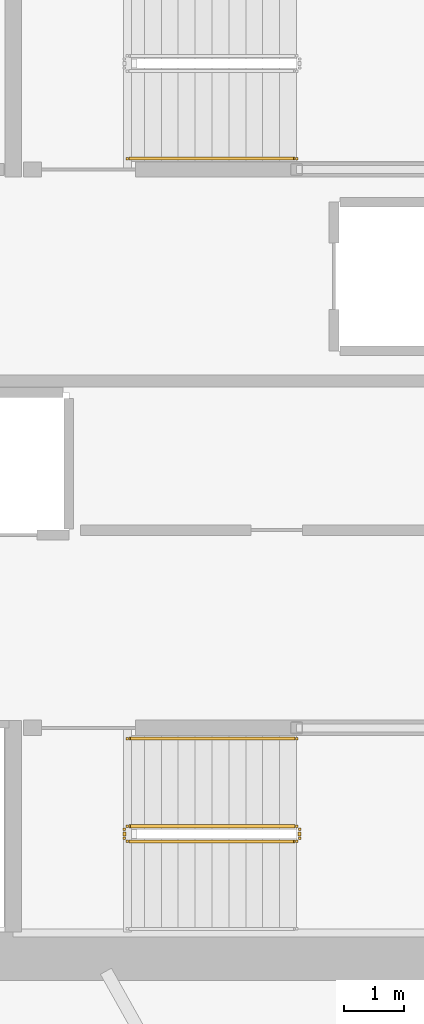
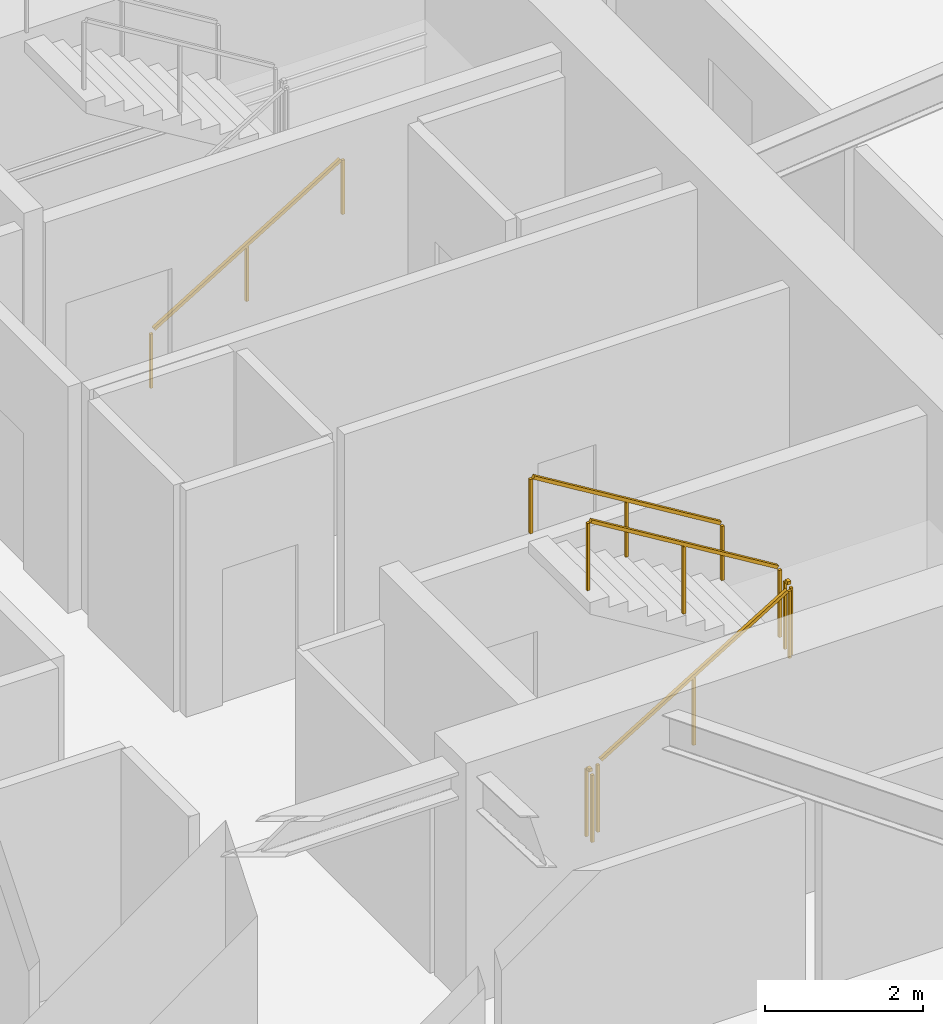
# One storey, part 19 of 22: 6 railings.
"""IFC4 building model written with IfcOpenShell, lengths in metres."""

from ifc_helpers import new_model, si_unit, direction, frame, origin, origin_2d, place, context, subcontext, project, spatial, rectangle, extrude, material, type_object, element, save


model = new_model("IFC4")

# Units and contexts
model_context = context("Model", 3, precision=1e-05, world=origin(), true_north=direction((0.0, 1.0)))
body_context = subcontext(model_context, "Body", "Model", "MODEL_VIEW")
ifc_project = project(units=[si_unit("LENGTHUNIT", "METRE"), si_unit("AREAUNIT", "SQUARE_METRE"), si_unit("VOLUMEUNIT", "CUBIC_METRE"), si_unit("PLANEANGLEUNIT", "RADIAN"), si_unit("MASSUNIT", "GRAM", prefix="KILO")], contexts=[model_context])

# Site, building, storey
site_placement = place(None, origin())
site = spatial("IfcSite", under=ifc_project, at=site_placement, CompositionType="ELEMENT")
building_placement = place(site_placement, origin())
building = spatial("IfcBuilding", under=site, at=building_placement, Name="Kazma Halo Residences", CompositionType="ELEMENT")
storey_placement = place(building_placement, frame((0.0, 0.0, 90.14990234375)))
storey = spatial("IfcBuildingStorey", under=building, at=storey_placement, Name="L22", CompositionType="ELEMENT", Elevation=90.14990234375)

# Railings
ifc_material_1 = material(Name="Painted Steel S355", Category="steel")
railing_type_1 = type_object("IfcRailingType", Name="RLG-STAIR-GRD-1100", PredefinedType="GUARDRAIL", material=ifc_material_1)
railing_1_placement = place(storey_placement, frame((53.199951171875, 35.5, 0.170654296875)))
element("IfcRailing", 1, at=railing_1_placement, inside=storey, type_object=railing_type_1, Name="L22 ST-03 stair guard 1", PredefinedType="GUARDRAIL", context=body_context, shape_type="SweptSolid", body=[
    extrude(rectangle(XDim=0.050048828125, YDim=0.050048828125, at=origin_2d()), frame((0.036376953125, 0.0, 1.09716796875), z_axis=(0.854202870247, 0.0, 0.519939858505), x_axis=(0.0, 1.0, 0.0)), (0.0, 0.0, 1.0), 3.19287109375),
    extrude(rectangle(XDim=0.0400390625, YDim=0.0400390625, at=origin_2d()), origin(), (0.0, 0.0, 1.0), 1.0380859375),
    extrude(rectangle(XDim=0.0400390625, YDim=0.0400390625, at=origin_2d()), frame((1.39990234375, 0.0, 0.85205078125)), (0.0, 0.0, 1.0), 1.0380859375),
    extrude(rectangle(XDim=0.0400390625, YDim=0.0400390625, at=origin_2d()), frame((2.800048828125, 0.0, 1.704345703125)), (0.0, 0.0, 1.0), 1.0380859375),
])
railing_2_placement = place(storey_placement, frame((56.050048828125, 35.550048828125, 1.875)))
element("IfcRailing", 2, at=railing_2_placement, inside=storey, type_object=railing_type_1, Name="L22 ST-03 stair guard 2", PredefinedType="GUARDRAIL", context=body_context, shape_type="SweptSolid", body=[
    extrude(rectangle(XDim=0.050048828125, YDim=0.050048828125, at=origin_2d()), frame((0.0, 0.04248046875, 1.0751953125), z_axis=(0.0, 1.0, 0.0), x_axis=(-1.0, 0.0, 0.0)), (0.0, 0.0, 1.0), 0.06494140625),
    extrude(rectangle(XDim=0.0400390625, YDim=0.0400390625, at=origin_2d()), origin(), (0.0, 0.0, 1.0), 1.0380859375),
    extrude(rectangle(XDim=0.0400390625, YDim=0.0400390625, at=origin_2d()), frame((0.0, 0.14990234375, 0.0)), (0.0, 0.0, 1.0), 1.0380859375),
])
railing_3_placement = place(storey_placement, frame((56.0, 35.75, 2.045654296875)))
element("IfcRailing", 3, at=railing_3_placement, inside=storey, type_object=railing_type_1, Name="L22 ST-03 stair guard 3", PredefinedType="GUARDRAIL", context=body_context, shape_type="SweptSolid", body=[
    extrude(rectangle(XDim=0.050048828125, YDim=0.050048828125, at=origin_2d()), frame((-0.036376953125, 0.0, 1.09716796875), z_axis=(-0.854202870247, 0.0, 0.519939858505), x_axis=(0.0, -1.0, 0.0)), (0.0, 0.0, 1.0), 3.19287109375),
    extrude(rectangle(XDim=0.0400390625, YDim=0.0400390625, at=origin_2d()), origin(), (0.0, 0.0, 1.0), 1.0380859375),
    extrude(rectangle(XDim=0.0400390625, YDim=0.0400390625, at=origin_2d()), frame((-1.39990234375, 0.0, 0.85205078125)), (0.0, 0.0, 1.0), 1.0380859375),
    extrude(rectangle(XDim=0.0400390625, YDim=0.0400390625, at=origin_2d()), frame((-2.800048828125, 0.0, 1.704345703125)), (0.0, 0.0, 1.0), 1.0380859375),
])
railing_4_placement = place(storey_placement, frame((53.14990234375, 35.550048828125, 0.0)))
element("IfcRailing", 4, at=railing_4_placement, inside=storey, type_object=railing_type_1, Name="L22 ST-03 stair guard 4", PredefinedType="GUARDRAIL", context=body_context, shape_type="SweptSolid", body=[
    extrude(rectangle(XDim=0.050048828125, YDim=0.050048828125, at=origin_2d()), frame((0.0, 0.04248046875, 1.0751953125), z_axis=(0.0, 1.0, 0.0), x_axis=(-1.0, 0.0, 0.0)), (0.0, 0.0, 1.0), 0.06494140625),
    extrude(rectangle(XDim=0.0400390625, YDim=0.0400390625, at=origin_2d()), origin(), (0.0, 0.0, 1.0), 1.0380859375),
    extrude(rectangle(XDim=0.0400390625, YDim=0.0400390625, at=origin_2d()), frame((0.0, 0.14990234375, 0.0)), (0.0, 0.0, 1.0), 1.0380859375),
])
ifc_material_2 = material(Name="Brushed Stainless Steel", Category="steel")
railing_type_2 = type_object("IfcRailingType", Name="RLG-STAIR-HND-900", PredefinedType="HANDRAIL", material=ifc_material_2)
railing_5_placement = place(storey_placement, frame((53.199951171875, 46.800048828125, 0.170654296875)))
element("IfcRailing", 5, at=railing_5_placement, inside=storey, type_object=railing_type_2, Name="L22 ST-02 stair handrail 1", PredefinedType="HANDRAIL", context=body_context, shape_type="SweptSolid", body=[
    extrude(rectangle(XDim=0.050048828125, YDim=0.050048828125, at=origin_2d()), frame((0.036376953125, 0.0, 0.89697265625), z_axis=(0.854202870247, 0.0, 0.519939858505), x_axis=(0.0, 1.0, 0.0)), (0.0, 0.0, 1.0), 3.19287109375),
    extrude(rectangle(XDim=0.0400390625, YDim=0.0400390625, at=origin_2d()), origin(), (0.0, 0.0, 1.0), 0.837890625),
    extrude(rectangle(XDim=0.0400390625, YDim=0.0400390625, at=origin_2d()), frame((1.39990234375, 0.0, 0.85205078125)), (0.0, 0.0, 1.0), 0.837890625),
    extrude(rectangle(XDim=0.0400390625, YDim=0.0400390625, at=origin_2d()), frame((2.800048828125, 0.0, 1.704345703125)), (0.0, 0.0, 1.0), 0.837890625),
])
railing_6_placement = place(storey_placement, frame((56.0, 37.199951171875, 2.045654296875)))
element("IfcRailing", 6, at=railing_6_placement, inside=storey, type_object=railing_type_2, Name="L22 ST-03 stair handrail 2", PredefinedType="HANDRAIL", context=body_context, shape_type="SweptSolid", body=[
    extrude(rectangle(XDim=0.050048828125, YDim=0.050048828125, at=origin_2d()), frame((-0.036376953125, 0.0, 0.89697265625), z_axis=(-0.854202870247, 0.0, 0.519939858505), x_axis=(0.0, -1.0, 0.0)), (0.0, 0.0, 1.0), 3.19287109375),
    extrude(rectangle(XDim=0.0400390625, YDim=0.0400390625, at=origin_2d()), origin(), (0.0, 0.0, 1.0), 0.837890625),
    extrude(rectangle(XDim=0.0400390625, YDim=0.0400390625, at=origin_2d()), frame((-1.39990234375, 0.0, 0.85205078125)), (0.0, 0.0, 1.0), 0.837890625),
    extrude(rectangle(XDim=0.0400390625, YDim=0.0400390625, at=origin_2d()), frame((-2.800048828125, 0.0, 1.704345703125)), (0.0, 0.0, 1.0), 0.837890625),
])

save(model, "model.ifc")
